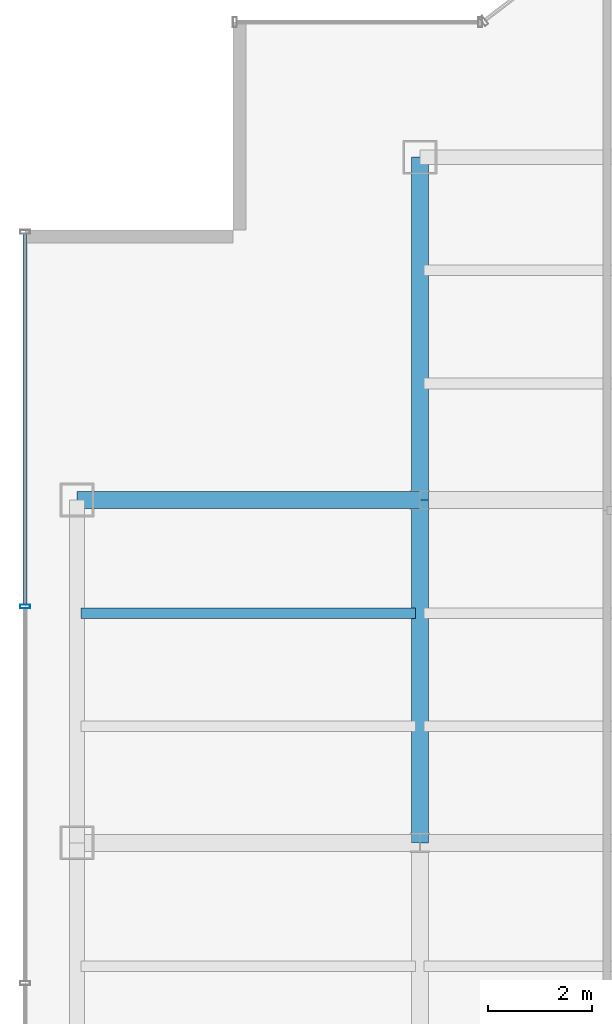
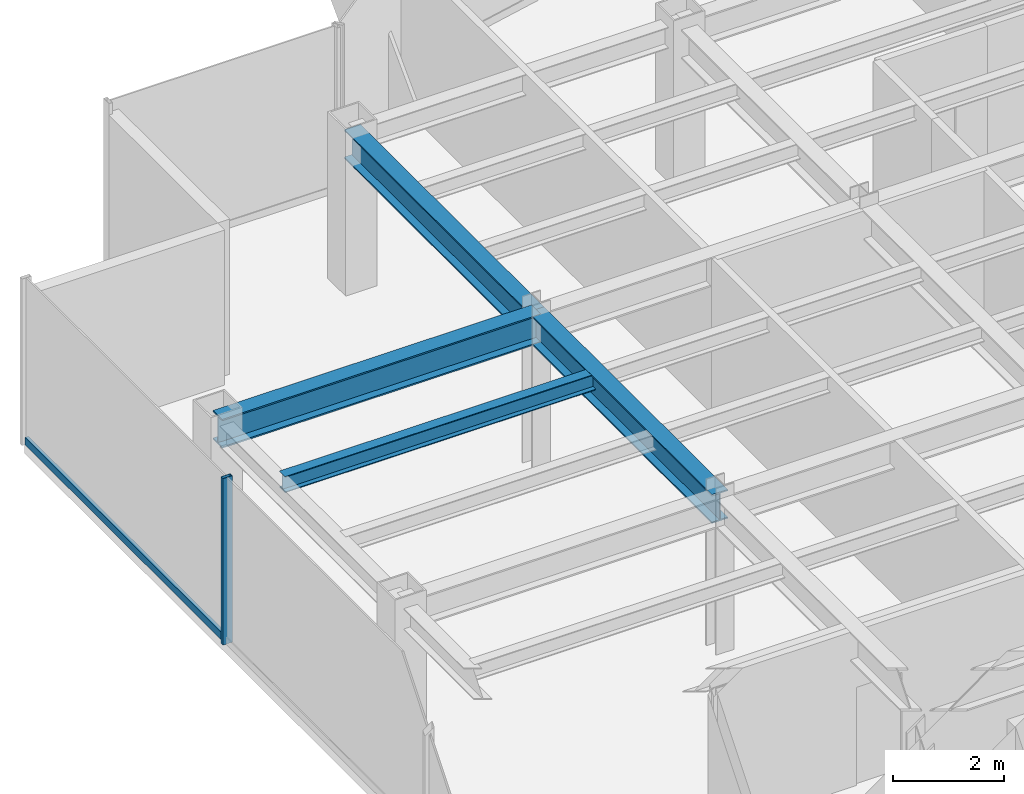
# One storey, part 7 of 25: 4 beams, 2 members, 1 element without a shape of its own.
"""IFC4 building model written with IfcOpenShell, lengths in metres."""

import ifcopenshell
import ifcopenshell.guid

model = None  # the IFC model being written
_history = None  # IfcOwnerHistory: only IFC2X3 demands one
_inside = {}  # id of a spatial element -> (the spatial element, [elements in it])
_under = {}  # id of a project, library or spatial element -> (it, [spatial elements below it])
_declared = {}  # id of a project -> (the project, [libraries it declares])
_typed = {}  # id of a type object -> (the type object, [elements of that type])
_made_of = {}  # id of a material, layer set ... -> (it, [elements and type objects made of it])


def new_model(schema):
    """Start an empty IFC model of exactly this schema.

    Asked for "IFC4X3", IfcOpenShell would pick the latest addendum, in which some entities
    have other attributes; the version numbers below select the first issue.
    IFC2X3 requires an IfcOwnerHistory on every rooted entity: one is made here for all.
    """
    global model, _history
    if schema == "IFC4X3":
        model = ifcopenshell.file(schema_version=(4, 3, 0, 0))
    else:
        model = ifcopenshell.file(schema=schema)
    _inside.clear()
    _under.clear()
    _declared.clear()
    _typed.clear()
    _made_of.clear()
    _history = None
    if model.schema == "IFC2X3":
        org = make("IfcOrganization", Name="unknown")
        user = make(
            "IfcPersonAndOrganization",
            ThePerson=make("IfcPerson", FamilyName="unknown"),
            TheOrganization=org,
        )
        app = make(
            "IfcApplication",
            ApplicationDeveloper=org,
            Version="unknown",
            ApplicationFullName="unknown",
            ApplicationIdentifier="unknown",
        )
        _history = make(
            "IfcOwnerHistory",
            OwningUser=user,
            OwningApplication=app,
            ChangeAction="ADDED",
            CreationDate=0,
        )
    return model


def make(cls, **values):
    """One entity of the class cls with the attributes given. An attribute that is None is left unset."""
    return model.create_entity(
        cls, **{name: value for name, value in values.items() if value is not None}
    )


def rooted(cls, **values):
    """An entity with a GlobalId (a new one), such as an element, a storey or a relation."""
    return make(cls, GlobalId=ifcopenshell.guid.new(), OwnerHistory=_history, **values)


def si_unit(unit_type, name, prefix=None):
    """IfcSIUnit, for example si_unit("LENGTHUNIT", "METRE", prefix="MILLI")."""
    return make("IfcSIUnit", UnitType=unit_type, Prefix=prefix, Name=name)


def derived_unit(unit_type, elements):
    """IfcDerivedUnit: a product of units, each with its exponent."""
    return make(
        "IfcDerivedUnit",
        Elements=[
            make("IfcDerivedUnitElement", Unit=unit, Exponent=power)
            for unit, power in elements
        ],
        UnitType=unit_type,
    )


def assignment(units):
    """IfcUnitAssignment: the units of a project."""
    return None if units is None else make("IfcUnitAssignment", Units=units)


def point(xyz):
    """IfcCartesianPoint."""
    return None if xyz is None else make("IfcCartesianPoint", Coordinates=xyz)


def direction(xyz):
    """IfcDirection."""
    return None if xyz is None else make("IfcDirection", DirectionRatios=xyz)


def frame(location, z_axis=None, x_axis=None):
    """IfcAxis2Placement3D, a coordinate frame: its origin and axes. An axis left out is left unset."""
    return make(
        "IfcAxis2Placement3D",
        Location=point(location),
        Axis=direction(z_axis),
        RefDirection=direction(x_axis),
    )


def frame_2d(location, x_axis=None):
    """IfcAxis2Placement2D, a coordinate frame in the plane: its origin and x axis."""
    return make(
        "IfcAxis2Placement2D", Location=point(location), RefDirection=direction(x_axis)
    )


def origin():
    """The frame at (0, 0, 0) with its axes left unset."""
    return frame((0.0, 0.0, 0.0))


def origin_2d():
    """The frame at (0, 0) in the plane with its x axis left unset."""
    return frame_2d((0.0, 0.0))


def place(relative_to, where):
    """IfcLocalPlacement: puts the frame where relative to a parent placement (None: the world)."""
    return make(
        "IfcLocalPlacement", PlacementRelTo=relative_to, RelativePlacement=where
    )


def context(
    kind, dimensions, precision=None, world=None, true_north=None, identifier=None
):
    """IfcGeometricRepresentationContext, for example the 3D "Model" context."""
    return make(
        "IfcGeometricRepresentationContext",
        ContextIdentifier=identifier,
        ContextType=kind,
        CoordinateSpaceDimension=dimensions,
        Precision=precision,
        WorldCoordinateSystem=world,
        TrueNorth=true_north,
    )


def subcontext(parent, identifier, kind, view, scale=None):
    """IfcGeometricRepresentationSubContext, for example "Body" below "Model"."""
    return make(
        "IfcGeometricRepresentationSubContext",
        ContextIdentifier=identifier,
        ContextType=kind,
        ParentContext=parent,
        TargetScale=scale,
        TargetView=view,
    )


def project(units=None, contexts=None):
    """IfcProject with its units and contexts."""
    return rooted(
        "IfcProject",
        Name="project",
        RepresentationContexts=contexts,
        UnitsInContext=assignment(units),
    )


def spatial(cls, under=None, at=None, **own):
    """A site, building, storey or space (cls), placed at a placement, below another one or the project."""
    s = rooted(cls, ObjectPlacement=at, **own)
    if under is not None:
        _under.setdefault(under.id(), (under, []))[1].append(s)
    return s


def profile(cls, at=None, kind="AREA", **sizes):
    """A parametric profile (cls). Its sizes go by their IFC names, for example OverallWidth=200.0."""
    return make(cls, ProfileType=kind, Position=at, **sizes)


def hollow_rectangle(**sizes):
    """IfcRectangleHollowProfileDef."""
    return profile("IfcRectangleHollowProfileDef", **sizes)


def i_section(**sizes):
    """IfcIShapeProfileDef."""
    return profile("IfcIShapeProfileDef", **sizes)


def extrude(swept, where, along, depth):
    """IfcExtrudedAreaSolid: the profile swept, set in the frame where, extruded along a direction by depth."""
    return make(
        "IfcExtrudedAreaSolid",
        SweptArea=swept,
        Position=where,
        ExtrudedDirection=direction(along),
        Depth=depth,
    )


def shape(context_of_items, identifier, shape_type, items):
    """IfcShapeRepresentation: the items that make up one representation, for example the "Body"."""
    return make(
        "IfcShapeRepresentation",
        ContextOfItems=context_of_items,
        RepresentationIdentifier=identifier,
        RepresentationType=shape_type,
        Items=items,
    )


def source(mapping_origin, context_of_items, identifier, shape_type, items):
    """IfcRepresentationMap: a shape defined once, which mapped items show again and again."""
    return make(
        "IfcRepresentationMap",
        MappingOrigin=mapping_origin,
        MappedRepresentation=shape(context_of_items, identifier, shape_type, items),
    )


def transform(
    local_origin,
    x_axis=None,
    y_axis=None,
    z_axis=None,
    scale=None,
    scale2=None,
    scale3=None,
    uniform=True,
):
    """IfcCartesianTransformationOperator3D, or its non-uniform kind. x_axis, y_axis, z_axis: its Axis1, 2, 3."""
    if uniform:
        return make(
            "IfcCartesianTransformationOperator3D",
            Axis1=direction(x_axis),
            Axis2=direction(y_axis),
            LocalOrigin=point(local_origin),
            Scale=scale,
            Axis3=direction(z_axis),
        )
    return make(
        "IfcCartesianTransformationOperator3DnonUniform",
        Axis1=direction(x_axis),
        Axis2=direction(y_axis),
        LocalOrigin=point(local_origin),
        Scale=scale,
        Axis3=direction(z_axis),
        Scale2=scale2,
        Scale3=scale3,
    )


def mapped(mapping_source, mapping_target):
    """IfcMappedItem: shows the shape of a source again, moved by a transform."""
    return make(
        "IfcMappedItem", MappingSource=mapping_source, MappingTarget=mapping_target
    )


def material(Name=None, Category=None):
    """IfcMaterial."""
    return make("IfcMaterial", Name=Name, Category=Category)


def material_profile(
    of_material, cross_section, Name=None, Category=None, Priority=None
):
    """IfcMaterialProfile: a cross section and its material."""
    return make(
        "IfcMaterialProfile",
        Name=Name,
        Material=of_material,
        Profile=cross_section,
        Priority=Priority,
        Category=Category,
    )


def profile_set(profiles, Name=None, composite=None):
    """IfcMaterialProfileSet."""
    return make(
        "IfcMaterialProfileSet",
        Name=Name,
        MaterialProfiles=profiles,
        CompositeProfile=composite,
    )


def made_of(thing, what):
    """Note that an element or type object is made of a material, layer set ...; save() writes the relation."""
    if what is not None:
        _made_of.setdefault(what.id(), (what, []))[1].append(thing)
    return thing


def type_object(cls, material=None, **own):
    """A type object (cls), such as IfcWallType, which elements share."""
    return made_of(rooted(cls, **own), material)


def element(
    cls,
    number,
    at=None,
    inside=None,
    cuts=None,
    type_object=None,
    material=None,
    context=None,
    identifier="Body",
    shape_type=None,
    held_by="IfcProductDefinitionShape",
    body=None,
    shapes=None,
    **own,
):
    """One element of the class cls, such as IfcWall. Its Tag is "e" and its number.

    at: its placement. inside: the storey or other place that contains it. cuts: it is an
    opening in that element (IfcRelVoidsElement). A single representation is given by context,
    identifier, shape_type and body (its items); several are given by shapes. held_by: the class
    of the entity that holds the representations. save() writes the other relations.
    """
    e = rooted(cls, Tag="e%d" % number, ObjectPlacement=at, **own)
    if body is not None:
        shapes = [shape(context, identifier, shape_type, body)]
    if shapes is not None:
        e.Representation = make(held_by, Representations=shapes)
    if inside is not None:
        _inside.setdefault(inside.id(), (inside, []))[1].append(e)
    if cuts is not None:
        rooted(
            "IfcRelVoidsElement", RelatingBuildingElement=cuts, RelatedOpeningElement=e
        )
    if type_object is not None:
        _typed.setdefault(type_object.id(), (type_object, []))[1].append(e)
    return made_of(e, material)


def aggregate(whole, parts):
    """IfcRelAggregates: a whole, such as a stair, and the parts it consists of."""
    return rooted("IfcRelAggregates", RelatingObject=whole, RelatedObjects=parts)


def save(model, path):
    """Write the relations noted so far, then the file.

    IfcRelAggregates (storeys below a building ...), IfcRelContainedInSpatialStructure (elements
    in a storey), IfcRelDefinesByType, IfcRelAssociatesMaterial and IfcRelDeclares: one each for
    every whole, place, type object, material and project.
    """
    for whole, parts in _under.values():
        aggregate(whole, parts)
    for where, things in _inside.values():
        rooted(
            "IfcRelContainedInSpatialStructure",
            RelatedElements=things,
            RelatingStructure=where,
        )
    for kind, things in _typed.values():
        rooted("IfcRelDefinesByType", RelatedObjects=things, RelatingType=kind)
    for what, things in _made_of.values():
        rooted("IfcRelAssociatesMaterial", RelatedObjects=things, RelatingMaterial=what)
    for by, libraries in _declared.values():
        rooted("IfcRelDeclares", RelatingContext=by, RelatedDefinitions=libraries)
    model.write(path)


model = new_model("IFC4")

# Units and contexts
model_context = context("Model", 3, precision=1e-05, world=origin(), true_north=direction((0.0, 1.0)))
body_context = subcontext(model_context, "Body", "Model", "MODEL_VIEW")
ifc_project = project(units=[si_unit("LENGTHUNIT", "METRE"), si_unit("AREAUNIT", "SQUARE_METRE"), si_unit("VOLUMEUNIT", "CUBIC_METRE"), si_unit("PLANEANGLEUNIT", "RADIAN"), si_unit("MASSUNIT", "GRAM", prefix="KILO"), derived_unit("THERMALTRANSMITTANCEUNIT", [(si_unit("POWERUNIT", "WATT"), 1), (si_unit("LENGTHUNIT", "METRE"), -2), (si_unit("THERMODYNAMICTEMPERATUREUNIT", "KELVIN"), -1)])], contexts=[model_context])

# Site, building, storey
site_placement = place(None, origin())
site = spatial("IfcSite", under=ifc_project, at=site_placement, CompositionType="ELEMENT")
building_placement = place(site_placement, origin())
building = spatial("IfcBuilding", under=site, at=building_placement, Name="Skarnbrae Concourse Arena and Tower", CompositionType="ELEMENT")
storey_placement = place(building_placement, frame((0.0, 0.0, 158.85009765625)))
storey = spatial("IfcBuildingStorey", under=building, at=storey_placement, Name="L40", CompositionType="ELEMENT", Elevation=158.85009765625)

# Beams
ifc_material_1 = material(Name="Steel CSA G40.21 350W", Category="steel")
ifc_material_profile_1 = material_profile(ifc_material_1, i_section(OverallWidth=0.3291015625, OverallDepth=0.635009765625, WebThickness=0.017822265625, FlangeThickness=0.031005859375, at=origin_2d()), Name="W610X241")
ifc_profile_set_1 = profile_set([ifc_material_profile_1], Name="Steel CSA G40.21 350W")
beam_type_1 = type_object("IfcBeamType", Name="BM-GIRD-W610X241", PredefinedType="BEAM", material=ifc_profile_set_1)
shared_shape_1 = source(origin(), body_context, "Body", "SweptSolid", [
    extrude(i_section(OverallWidth=0.3291015625, OverallDepth=0.635009765625, WebThickness=0.017822265625, FlangeThickness=0.031005859375, at=origin_2d()), origin(), (0.0, 0.0, 1.0), 6.60009765625),
])
for number, where, z_axis, x_axis, name in (
    (1, (1.0, 27.800048828125, 3.08251953125), (1.0, 0.0, 0.0), (0.0, 1.0, 0.0), "L40 Primary E-W girder Y27.8-1"),
    (2, (7.60009765625, 21.199951171875, 3.08251953125), (0.0, 1.0, 0.0), (-1.0, 0.0, 0.0), "L40 Primary N-S girder X7.6-2"),
):
    element("IfcBeam", number, at=place(storey_placement, frame(where, z_axis=z_axis, x_axis=x_axis)), inside=storey, type_object=beam_type_1, Name=name, PredefinedType="BEAM", context=body_context, shape_type="MappedRepresentation", body=[
        mapped(shared_shape_1, transform((0.0, 0.0, 0.0))),
    ])
shared_shape_2 = source(origin(), body_context, "Body", "SweptSolid", [
    extrude(i_section(OverallWidth=0.3291015625, OverallDepth=0.635009765625, WebThickness=0.017822265625, FlangeThickness=0.031005859375, at=origin_2d()), origin(), (0.0, 0.0, 1.0), 6.599853515625),
])
beam_1_placement = place(storey_placement, frame((7.60009765625, 27.800048828125, 3.08251953125), z_axis=(0.0, 1.0, 0.0), x_axis=(-1.0, 0.0, 0.0)))
element("IfcBeam", 3, at=beam_1_placement, inside=storey, type_object=beam_type_1, Name="L40 Primary N-S girder X7.6-3", PredefinedType="BEAM", context=body_context, shape_type="MappedRepresentation", body=[
    mapped(shared_shape_2, transform((0.0, 0.0, 0.0))),
])
ifc_material_profile_2 = material_profile(ifc_material_1, i_section(OverallWidth=0.205078125, OverallDepth=0.35400390625, WebThickness=0.009521484375, FlangeThickness=0.016845703125, at=origin_2d()), Name="W360X79")
ifc_profile_set_2 = profile_set([ifc_material_profile_2], Name="Steel CSA G40.21 350W")
beam_type_2 = type_object("IfcBeamType", Name="BM-JOIST-W360X79", PredefinedType="JOIST", material=ifc_profile_set_2)
shared_shape_3 = source(origin(), body_context, "Body", "SweptSolid", [
    extrude(i_section(OverallWidth=0.205078125, OverallDepth=0.35400390625, WebThickness=0.009521484375, FlangeThickness=0.016845703125, at=origin_2d()), origin(), (0.0, 0.0, 1.0), 6.43994140625),
])
beam_2_placement = place(storey_placement, frame((1.080078125, 25.6220703125, 3.222900390625), z_axis=(1.0, 0.0, 0.0), x_axis=(0.0, 1.0, 0.0)))
element("IfcBeam", 4, at=beam_2_placement, inside=storey, type_object=beam_type_2, Name="L40 Secondary floor joist 2.2.1", PredefinedType="JOIST", context=body_context, shape_type="MappedRepresentation", body=[
    mapped(shared_shape_3, transform((0.0, 0.0, 0.0))),
])

# Curtain wall, members
ifc_material_2 = material(Name="Bronze anodised aluminium 6063-T6", Category="aluminium")
curtain_wall_type = type_object("IfcCurtainWallType", Name="CW-SYS-04-MIDZONE", PredefinedType="USERDEFINED", material=ifc_material_2)
curtain_wall_placement = place(storey_placement, origin())
curtain_wall = element("IfcCurtainWall", 5, at=curtain_wall_placement, inside=storey, type_object=curtain_wall_type, Name="L40 Unitised curtain wall CW-L40-E18", ObjectType="UNITISED CURTAIN WALL", PredefinedType="USERDEFINED")
ifc_material_profile_3 = material_profile(ifc_material_2, hollow_rectangle(XDim=0.074951171875, YDim=0.195068359375, WallThickness=0.00439453125, at=origin_2d()), Name="ALU-MULL-75X195")
ifc_profile_set_3 = profile_set([ifc_material_profile_3], Name="Bronze anodised aluminium 6063-T6")
member_type_1 = type_object("IfcMemberType", Name="CWM-CW-04", PredefinedType="MULLION", material=ifc_profile_set_3)
shared_shape_4 = source(origin(), body_context, "Body", "SweptSolid", [
    extrude(hollow_rectangle(XDim=0.074951171875, YDim=0.195068359375, WallThickness=0.00439453125, at=origin_2d()), origin(), (0.0, 0.0, 1.0), 3.64990234375),
])
member_1_placement = place(storey_placement, frame((0.0, 25.75, 0.0), z_axis=(0.0, 0.0, 1.0), x_axis=(0.0, -1.0, 0.0)))
member_1 = element("IfcMember", 6, at=member_1_placement, type_object=member_type_1, Name="CW-L40-E18 Mullion 2", PredefinedType="MULLION", context=body_context, shape_type="MappedRepresentation", body=[
    mapped(shared_shape_4, transform((0.0, 0.0, 0.0))),
])
ifc_material_profile_4 = material_profile(ifc_material_2, hollow_rectangle(XDim=0.074951171875, YDim=0.159912109375, WallThickness=0.00439453125, at=origin_2d()), Name="ALU-TRAN-75X160")
ifc_profile_set_4 = profile_set([ifc_material_profile_4], Name="Bronze anodised aluminium 6063-T6")
member_type_2 = type_object("IfcMemberType", Name="CWT-CW-04", PredefinedType="USERDEFINED", material=ifc_profile_set_4)
shared_shape_5 = source(origin(), body_context, "Body", "SweptSolid", [
    extrude(hollow_rectangle(XDim=0.074951171875, YDim=0.159912109375, WallThickness=0.00439453125, at=origin_2d()), origin(), (0.0, 0.0, 1.0), 7.137451171875),
])
member_2_placement = place(storey_placement, frame((0.0, 32.925048828125, 0.079833984375), z_axis=(0.0, -1.0, 0.0), x_axis=(1.0, 0.0, 0.0)))
member_2 = element("IfcMember", 7, at=member_2_placement, type_object=member_type_2, Name="CW-L40-E18 Transom 1", ObjectType="TRANSOM", PredefinedType="USERDEFINED", context=body_context, shape_type="MappedRepresentation", body=[
    mapped(shared_shape_5, transform((0.0, 0.0, 0.0))),
])
aggregate(curtain_wall, [member_1, member_2])

save(model, "model.ifc")
